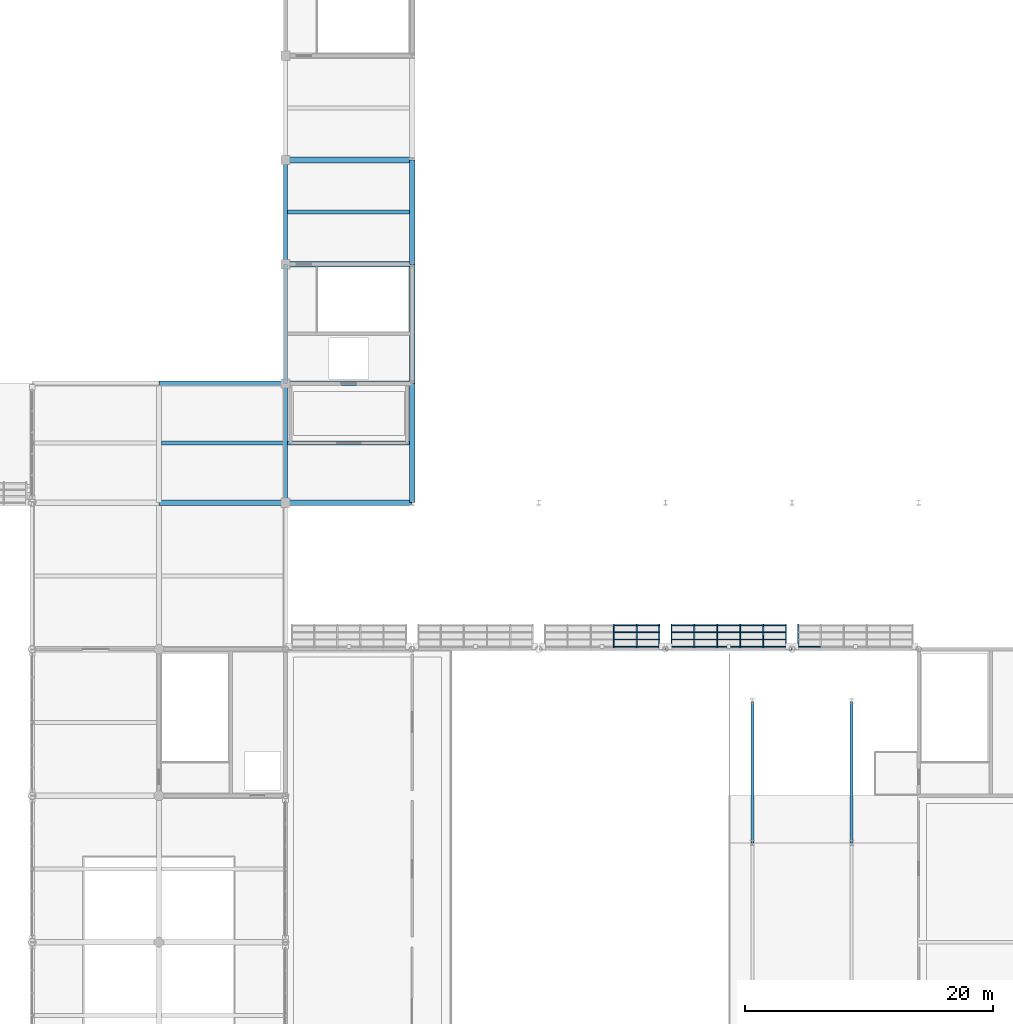
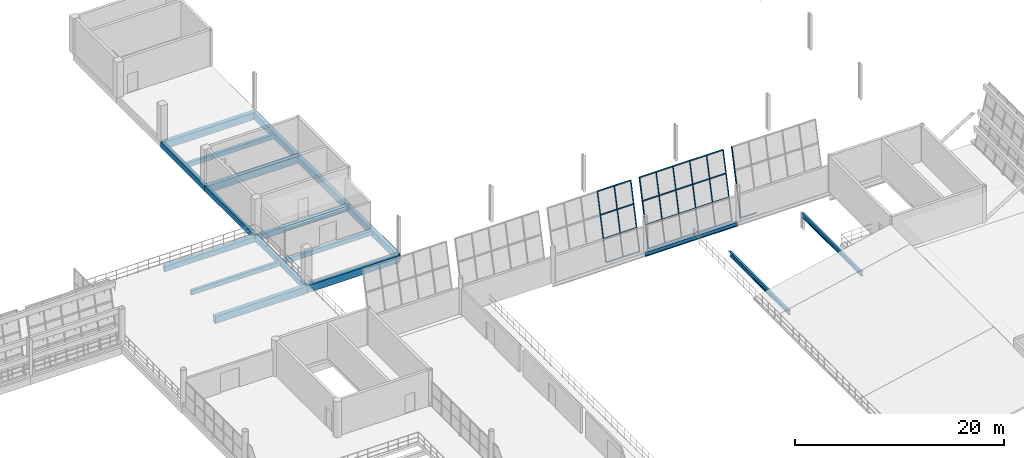
# One storey, part 83 of 157: 39 members, 18 beams, 3 elements without a shape of their own.
"""IFC4 building model written with IfcOpenShell, lengths in metres."""

from ifc_helpers import new_model, si_unit, direction, frame, origin, origin_2d, place, context, subcontext, project, spatial, rectangle, hollow_rectangle, i_section, extrude, material, material_profile, profile_set, type_object, element, aggregate, save


model = new_model("IFC4")

# Units and contexts
model_context = context("Model", 3, precision=1e-05, world=origin(), true_north=direction((0.0, 1.0)))
body_context = subcontext(model_context, "Body", "Model", "MODEL_VIEW")
ifc_project = project(units=[si_unit("LENGTHUNIT", "METRE"), si_unit("AREAUNIT", "SQUARE_METRE"), si_unit("VOLUMEUNIT", "CUBIC_METRE"), si_unit("PLANEANGLEUNIT", "RADIAN"), si_unit("MASSUNIT", "GRAM", prefix="KILO")], contexts=[model_context])

# Site, building, storey
site_placement = place(None, origin())
site = spatial("IfcSite", under=ifc_project, at=site_placement, CompositionType="ELEMENT")
building_placement = place(site_placement, origin())
building = spatial("IfcBuilding", under=site, at=building_placement, Name="Brelvane Convention Centre", CompositionType="ELEMENT")
storey_placement = place(building_placement, frame((0.0, 0.0, 10.800048828125)))
storey = spatial("IfcBuildingStorey", under=building, at=storey_placement, Name="L02", CompositionType="ELEMENT", Elevation=10.800048828125)

# Curtain wall, members
ifc_material_1 = material(Name="Anodised Aluminium Alloy 6063-T6", Category="aluminium")
curtain_wall_type = type_object("IfcCurtainWallType", Name="Curtain Wall CW-HULL-N", PredefinedType="USERDEFINED", material=ifc_material_1)
curtain_wall_1_placement = place(storey_placement, origin())
curtain_wall_1 = element("IfcCurtainWall", 1, at=curtain_wall_1_placement, inside=storey, type_object=curtain_wall_type, Name="Curtain Wall CW-HULL-N L02-HULL-PN-L02-3", ObjectType="UNITISED", PredefinedType="USERDEFINED")
ifc_material_2 = material(Name="Anodised Aluminium Alloy 6063-T6", Category="aluminium")
ifc_material_profile_1 = material_profile(ifc_material_2, hollow_rectangle(XDim=0.074951171875, YDim=0.199951171875, WallThickness=0.0048828125, InnerFilletRadius=0.0048828125, OuterFilletRadius=0.010009765625, at=origin_2d()), Name="ALU-M 200x75x5.0")
ifc_profile_set_1 = profile_set([ifc_material_profile_1], Name="Anodised Aluminium Alloy 6063-T6")
member_type_1 = type_object("IfcMemberType", Name="Curtain Mullion CW-M2", PredefinedType="MULLION", material=ifc_profile_set_1)
member_1_placement = place(storey_placement, frame((189.6298828125, 88.0, 0.050048828125), z_axis=(0.0, 0.228348908232, 0.973579363026), x_axis=(-1.0, 0.0, 0.0)))
member_1 = element("IfcMember", 2, at=member_1_placement, type_object=member_type_1, Name="CW-HULL-N mullion 4", PredefinedType="MULLION", context=body_context, shape_type="SweptSolid", body=[
    extrude(hollow_rectangle(XDim=0.074951171875, YDim=0.199951171875, WallThickness=0.0048828125, InnerFilletRadius=0.0048828125, OuterFilletRadius=0.010009765625, at=origin_2d()), origin(), (0.0, 0.0, 1.0), 7.54931640625),
])
member_2_placement = place(storey_placement, frame((191.489990234375, 88.0, 0.050048828125), z_axis=(0.0, 0.228348908232, 0.973579363026), x_axis=(-1.0, 0.0, 0.0)))
member_2 = element("IfcMember", 3, at=member_2_placement, type_object=member_type_1, Name="CW-HULL-N mullion 5", PredefinedType="MULLION", context=body_context, shape_type="SweptSolid", body=[
    extrude(hollow_rectangle(XDim=0.074951171875, YDim=0.199951171875, WallThickness=0.0048828125, InnerFilletRadius=0.0048828125, OuterFilletRadius=0.010009765625, at=origin_2d()), origin(), (0.0, 0.0, 1.0), 7.54931640625),
])
member_3_placement = place(storey_placement, frame((193.3125, 88.0, 0.050048828125), z_axis=(0.0, 0.228348908232, 0.973579363026), x_axis=(-1.0, 0.0, 0.0)))
member_3 = element("IfcMember", 4, at=member_3_placement, type_object=member_type_1, Name="CW-HULL-N mullion 6", PredefinedType="MULLION", context=body_context, shape_type="SweptSolid", body=[
    extrude(hollow_rectangle(XDim=0.074951171875, YDim=0.199951171875, WallThickness=0.0048828125, InnerFilletRadius=0.0048828125, OuterFilletRadius=0.010009765625, at=origin_2d()), origin(), (0.0, 0.0, 1.0), 7.54931640625),
])

curtain_wall_2_placement = place(storey_placement, origin())
curtain_wall_2 = element("IfcCurtainWall", 5, at=curtain_wall_2_placement, inside=storey, type_object=curtain_wall_type, Name="Curtain Wall CW-HULL-N L02-HULL-PN-L02-4", ObjectType="UNITISED", PredefinedType="USERDEFINED")
member_4_placement = place(storey_placement, frame((194.28759765625, 88.0, 0.050048828125), z_axis=(0.0, 0.228348908232, 0.973579363026), x_axis=(-1.0, 0.0, 0.0)))
member_4 = element("IfcMember", 6, at=member_4_placement, type_object=member_type_1, Name="CW-HULL-N mullion 1", PredefinedType="MULLION", context=body_context, shape_type="SweptSolid", body=[
    extrude(hollow_rectangle(XDim=0.074951171875, YDim=0.199951171875, WallThickness=0.0048828125, InnerFilletRadius=0.0048828125, OuterFilletRadius=0.010009765625, at=origin_2d()), origin(), (0.0, 0.0, 1.0), 7.54931640625),
])
member_5_placement = place(storey_placement, frame((196.110107421875, 88.0, 0.050048828125), z_axis=(0.0, 0.228348908232, 0.973579363026), x_axis=(-1.0, 0.0, 0.0)))
member_5 = element("IfcMember", 7, at=member_5_placement, type_object=member_type_1, Name="CW-HULL-N mullion 2", PredefinedType="MULLION", context=body_context, shape_type="SweptSolid", body=[
    extrude(hollow_rectangle(XDim=0.074951171875, YDim=0.199951171875, WallThickness=0.0048828125, InnerFilletRadius=0.0048828125, OuterFilletRadius=0.010009765625, at=origin_2d()), origin(), (0.0, 0.0, 1.0), 7.54931640625),
])
member_6_placement = place(storey_placement, frame((197.969970703125, 88.0, 0.050048828125), z_axis=(0.0, 0.228348908232, 0.973579363026), x_axis=(-1.0, 0.0, 0.0)))
member_6 = element("IfcMember", 8, at=member_6_placement, type_object=member_type_1, Name="CW-HULL-N mullion 3", PredefinedType="MULLION", context=body_context, shape_type="SweptSolid", body=[
    extrude(hollow_rectangle(XDim=0.074951171875, YDim=0.199951171875, WallThickness=0.0048828125, InnerFilletRadius=0.0048828125, OuterFilletRadius=0.010009765625, at=origin_2d()), origin(), (0.0, 0.0, 1.0), 7.54931640625),
])
member_7_placement = place(storey_placement, frame((199.830078125, 88.0, 0.050048828125), z_axis=(0.0, 0.228348908232, 0.973579363026), x_axis=(-1.0, 0.0, 0.0)))
member_7 = element("IfcMember", 9, at=member_7_placement, type_object=member_type_1, Name="CW-HULL-N mullion 4", PredefinedType="MULLION", context=body_context, shape_type="SweptSolid", body=[
    extrude(hollow_rectangle(XDim=0.074951171875, YDim=0.199951171875, WallThickness=0.0048828125, InnerFilletRadius=0.0048828125, OuterFilletRadius=0.010009765625, at=origin_2d()), origin(), (0.0, 0.0, 1.0), 7.54931640625),
])
member_8_placement = place(storey_placement, frame((201.68994140625, 88.0, 0.050048828125), z_axis=(0.0, 0.228348908232, 0.973579363026), x_axis=(-1.0, 0.0, 0.0)))
member_8 = element("IfcMember", 10, at=member_8_placement, type_object=member_type_1, Name="CW-HULL-N mullion 5", PredefinedType="MULLION", context=body_context, shape_type="SweptSolid", body=[
    extrude(hollow_rectangle(XDim=0.074951171875, YDim=0.199951171875, WallThickness=0.0048828125, InnerFilletRadius=0.0048828125, OuterFilletRadius=0.010009765625, at=origin_2d()), origin(), (0.0, 0.0, 1.0), 7.54931640625),
])
member_9_placement = place(storey_placement, frame((203.512451171875, 88.0, 0.050048828125), z_axis=(0.0, 0.228348908232, 0.973579363026), x_axis=(-1.0, 0.0, 0.0)))
member_9 = element("IfcMember", 11, at=member_9_placement, type_object=member_type_1, Name="CW-HULL-N mullion 6", PredefinedType="MULLION", context=body_context, shape_type="SweptSolid", body=[
    extrude(hollow_rectangle(XDim=0.074951171875, YDim=0.199951171875, WallThickness=0.0048828125, InnerFilletRadius=0.0048828125, OuterFilletRadius=0.010009765625, at=origin_2d()), origin(), (0.0, 0.0, 1.0), 7.54931640625),
])

# Curtain wall, member
curtain_wall_3_placement = place(storey_placement, origin())
curtain_wall_3 = element("IfcCurtainWall", 12, at=curtain_wall_3_placement, inside=storey, type_object=curtain_wall_type, Name="Curtain Wall CW-HULL-N L02-HULL-PN-L02-5", ObjectType="UNITISED", PredefinedType="USERDEFINED")
member_10_placement = place(storey_placement, frame((204.487548828125, 88.0, 0.050048828125), z_axis=(0.0, 0.228348908232, 0.973579363026), x_axis=(-1.0, 0.0, 0.0)))
member_10 = element("IfcMember", 13, at=member_10_placement, type_object=member_type_1, Name="CW-HULL-N mullion 1", PredefinedType="MULLION", context=body_context, shape_type="SweptSolid", body=[
    extrude(hollow_rectangle(XDim=0.074951171875, YDim=0.199951171875, WallThickness=0.0048828125, InnerFilletRadius=0.0048828125, OuterFilletRadius=0.010009765625, at=origin_2d()), origin(), (0.0, 0.0, 1.0), 7.54931640625),
])

# Member
ifc_material_3 = material(Name="Anodised Aluminium Alloy 6063-T6", Category="aluminium")
ifc_material_profile_2 = material_profile(ifc_material_3, hollow_rectangle(XDim=0.070068359375, YDim=0.14990234375, WallThickness=0.00439453125, InnerFilletRadius=0.00439453125, OuterFilletRadius=0.009033203125, at=origin_2d()), Name="ALU-T 150x70x4.5")
ifc_profile_set_2 = profile_set([ifc_material_profile_2], Name="Anodised Aluminium Alloy 6063-T6")
member_type_2 = type_object("IfcMemberType", Name="Curtain Transom CW-T2", PredefinedType="USERDEFINED", material=ifc_profile_set_2)
member_11_placement = place(storey_placement, frame((189.66748046875, 88.00830078125, 0.0849609375), z_axis=(1.0, 0.0, 0.0), x_axis=(0.0, 1.0, 0.0)))
member_11 = element("IfcMember", 14, at=member_11_placement, type_object=member_type_2, Name="CW-HULL-N transom 4.1", ObjectType="TRANSOM", PredefinedType="USERDEFINED", context=body_context, shape_type="SweptSolid", body=[
    extrude(hollow_rectangle(XDim=0.070068359375, YDim=0.14990234375, WallThickness=0.00439453125, InnerFilletRadius=0.00439453125, OuterFilletRadius=0.009033203125, at=origin_2d()), origin(), (0.0, 0.0, 1.0), 1.784912109375),
])

member_12_placement = place(storey_placement, frame((189.66748046875, 88.57470703125, 2.5), z_axis=(1.0, 0.0, 0.0), x_axis=(0.0, 1.0, 0.0)))
member_12 = element("IfcMember", 15, at=member_12_placement, type_object=member_type_2, Name="CW-HULL-N transom 4.2", ObjectType="TRANSOM", PredefinedType="USERDEFINED", context=body_context, shape_type="SweptSolid", body=[
    extrude(hollow_rectangle(XDim=0.070068359375, YDim=0.14990234375, WallThickness=0.00439453125, InnerFilletRadius=0.00439453125, OuterFilletRadius=0.009033203125, at=origin_2d()), origin(), (0.0, 0.0, 1.0), 1.784912109375),
])

member_13_placement = place(storey_placement, frame((189.66748046875, 89.149169921875, 4.949951171875), z_axis=(1.0, 0.0, 0.0), x_axis=(0.0, 1.0, 0.0)))
member_13 = element("IfcMember", 16, at=member_13_placement, type_object=member_type_2, Name="CW-HULL-N transom 4.3", ObjectType="TRANSOM", PredefinedType="USERDEFINED", context=body_context, shape_type="SweptSolid", body=[
    extrude(hollow_rectangle(XDim=0.070068359375, YDim=0.14990234375, WallThickness=0.00439453125, InnerFilletRadius=0.00439453125, OuterFilletRadius=0.009033203125, at=origin_2d()), origin(), (0.0, 0.0, 1.0), 1.784912109375),
])

member_14_placement = place(storey_placement, frame((189.66748046875, 89.7158203125, 7.364990234375), z_axis=(1.0, 0.0, 0.0), x_axis=(0.0, 1.0, 0.0)))
member_14 = element("IfcMember", 17, at=member_14_placement, type_object=member_type_2, Name="CW-HULL-N transom 4.4", ObjectType="TRANSOM", PredefinedType="USERDEFINED", context=body_context, shape_type="SweptSolid", body=[
    extrude(hollow_rectangle(XDim=0.070068359375, YDim=0.14990234375, WallThickness=0.00439453125, InnerFilletRadius=0.00439453125, OuterFilletRadius=0.009033203125, at=origin_2d()), origin(), (0.0, 0.0, 1.0), 1.784912109375),
])

member_15_placement = place(storey_placement, frame((191.527587890625, 88.00830078125, 0.0849609375), z_axis=(1.0, 0.0, 0.0), x_axis=(0.0, 1.0, 0.0)))
member_15 = element("IfcMember", 18, at=member_15_placement, type_object=member_type_2, Name="CW-HULL-N transom 5.1", ObjectType="TRANSOM", PredefinedType="USERDEFINED", context=body_context, shape_type="SweptSolid", body=[
    extrude(hollow_rectangle(XDim=0.070068359375, YDim=0.14990234375, WallThickness=0.00439453125, InnerFilletRadius=0.00439453125, OuterFilletRadius=0.009033203125, at=origin_2d()), origin(), (0.0, 0.0, 1.0), 1.747314453125),
])

member_16_placement = place(storey_placement, frame((191.527587890625, 88.57470703125, 2.5), z_axis=(1.0, 0.0, 0.0), x_axis=(0.0, 1.0, 0.0)))
member_16 = element("IfcMember", 19, at=member_16_placement, type_object=member_type_2, Name="CW-HULL-N transom 5.2", ObjectType="TRANSOM", PredefinedType="USERDEFINED", context=body_context, shape_type="SweptSolid", body=[
    extrude(hollow_rectangle(XDim=0.070068359375, YDim=0.14990234375, WallThickness=0.00439453125, InnerFilletRadius=0.00439453125, OuterFilletRadius=0.009033203125, at=origin_2d()), origin(), (0.0, 0.0, 1.0), 1.747314453125),
])

member_17_placement = place(storey_placement, frame((191.527587890625, 89.149169921875, 4.949951171875), z_axis=(1.0, 0.0, 0.0), x_axis=(0.0, 1.0, 0.0)))
member_17 = element("IfcMember", 20, at=member_17_placement, type_object=member_type_2, Name="CW-HULL-N transom 5.3", ObjectType="TRANSOM", PredefinedType="USERDEFINED", context=body_context, shape_type="SweptSolid", body=[
    extrude(hollow_rectangle(XDim=0.070068359375, YDim=0.14990234375, WallThickness=0.00439453125, InnerFilletRadius=0.00439453125, OuterFilletRadius=0.009033203125, at=origin_2d()), origin(), (0.0, 0.0, 1.0), 1.747314453125),
])

member_18_placement = place(storey_placement, frame((191.527587890625, 89.7158203125, 7.364990234375), z_axis=(1.0, 0.0, 0.0), x_axis=(0.0, 1.0, 0.0)))
member_18 = element("IfcMember", 21, at=member_18_placement, type_object=member_type_2, Name="CW-HULL-N transom 5.4", ObjectType="TRANSOM", PredefinedType="USERDEFINED", context=body_context, shape_type="SweptSolid", body=[
    extrude(hollow_rectangle(XDim=0.070068359375, YDim=0.14990234375, WallThickness=0.00439453125, InnerFilletRadius=0.00439453125, OuterFilletRadius=0.009033203125, at=origin_2d()), origin(), (0.0, 0.0, 1.0), 1.747314453125),
])

aggregate(curtain_wall_1, [member_1, member_2, member_3, member_11, member_12, member_13, member_14, member_15, member_16, member_17, member_18])

member_19_placement = place(storey_placement, frame((194.324951171875, 88.00830078125, 0.0849609375), z_axis=(1.0, 0.0, 0.0), x_axis=(0.0, 1.0, 0.0)))
member_19 = element("IfcMember", 22, at=member_19_placement, type_object=member_type_2, Name="CW-HULL-N transom 1.1", ObjectType="TRANSOM", PredefinedType="USERDEFINED", context=body_context, shape_type="SweptSolid", body=[
    extrude(hollow_rectangle(XDim=0.070068359375, YDim=0.14990234375, WallThickness=0.00439453125, InnerFilletRadius=0.00439453125, OuterFilletRadius=0.009033203125, at=origin_2d()), origin(), (0.0, 0.0, 1.0), 1.74755859375),
])

member_20_placement = place(storey_placement, frame((194.324951171875, 88.57470703125, 2.5), z_axis=(1.0, 0.0, 0.0), x_axis=(0.0, 1.0, 0.0)))
member_20 = element("IfcMember", 23, at=member_20_placement, type_object=member_type_2, Name="CW-HULL-N transom 1.2", ObjectType="TRANSOM", PredefinedType="USERDEFINED", context=body_context, shape_type="SweptSolid", body=[
    extrude(hollow_rectangle(XDim=0.070068359375, YDim=0.14990234375, WallThickness=0.00439453125, InnerFilletRadius=0.00439453125, OuterFilletRadius=0.009033203125, at=origin_2d()), origin(), (0.0, 0.0, 1.0), 1.74755859375),
])

member_21_placement = place(storey_placement, frame((194.324951171875, 89.149169921875, 4.949951171875), z_axis=(1.0, 0.0, 0.0), x_axis=(0.0, 1.0, 0.0)))
member_21 = element("IfcMember", 24, at=member_21_placement, type_object=member_type_2, Name="CW-HULL-N transom 1.3", ObjectType="TRANSOM", PredefinedType="USERDEFINED", context=body_context, shape_type="SweptSolid", body=[
    extrude(hollow_rectangle(XDim=0.070068359375, YDim=0.14990234375, WallThickness=0.00439453125, InnerFilletRadius=0.00439453125, OuterFilletRadius=0.009033203125, at=origin_2d()), origin(), (0.0, 0.0, 1.0), 1.74755859375),
])

member_22_placement = place(storey_placement, frame((194.324951171875, 89.7158203125, 7.364990234375), z_axis=(1.0, 0.0, 0.0), x_axis=(0.0, 1.0, 0.0)))
member_22 = element("IfcMember", 25, at=member_22_placement, type_object=member_type_2, Name="CW-HULL-N transom 1.4", ObjectType="TRANSOM", PredefinedType="USERDEFINED", context=body_context, shape_type="SweptSolid", body=[
    extrude(hollow_rectangle(XDim=0.070068359375, YDim=0.14990234375, WallThickness=0.00439453125, InnerFilletRadius=0.00439453125, OuterFilletRadius=0.009033203125, at=origin_2d()), origin(), (0.0, 0.0, 1.0), 1.74755859375),
])

member_23_placement = place(storey_placement, frame((196.1474609375, 88.00830078125, 0.0849609375), z_axis=(1.0, 0.0, 0.0), x_axis=(0.0, 1.0, 0.0)))
member_23 = element("IfcMember", 26, at=member_23_placement, type_object=member_type_2, Name="CW-HULL-N transom 2.1", ObjectType="TRANSOM", PredefinedType="USERDEFINED", context=body_context, shape_type="SweptSolid", body=[
    extrude(hollow_rectangle(XDim=0.070068359375, YDim=0.14990234375, WallThickness=0.00439453125, InnerFilletRadius=0.00439453125, OuterFilletRadius=0.009033203125, at=origin_2d()), origin(), (0.0, 0.0, 1.0), 1.78515625),
])

member_24_placement = place(storey_placement, frame((196.1474609375, 88.57470703125, 2.5), z_axis=(1.0, 0.0, 0.0), x_axis=(0.0, 1.0, 0.0)))
member_24 = element("IfcMember", 27, at=member_24_placement, type_object=member_type_2, Name="CW-HULL-N transom 2.2", ObjectType="TRANSOM", PredefinedType="USERDEFINED", context=body_context, shape_type="SweptSolid", body=[
    extrude(hollow_rectangle(XDim=0.070068359375, YDim=0.14990234375, WallThickness=0.00439453125, InnerFilletRadius=0.00439453125, OuterFilletRadius=0.009033203125, at=origin_2d()), origin(), (0.0, 0.0, 1.0), 1.78515625),
])

member_25_placement = place(storey_placement, frame((196.1474609375, 89.149169921875, 4.949951171875), z_axis=(1.0, 0.0, 0.0), x_axis=(0.0, 1.0, 0.0)))
member_25 = element("IfcMember", 28, at=member_25_placement, type_object=member_type_2, Name="CW-HULL-N transom 2.3", ObjectType="TRANSOM", PredefinedType="USERDEFINED", context=body_context, shape_type="SweptSolid", body=[
    extrude(hollow_rectangle(XDim=0.070068359375, YDim=0.14990234375, WallThickness=0.00439453125, InnerFilletRadius=0.00439453125, OuterFilletRadius=0.009033203125, at=origin_2d()), origin(), (0.0, 0.0, 1.0), 1.78515625),
])

member_26_placement = place(storey_placement, frame((196.1474609375, 89.7158203125, 7.364990234375), z_axis=(1.0, 0.0, 0.0), x_axis=(0.0, 1.0, 0.0)))
member_26 = element("IfcMember", 29, at=member_26_placement, type_object=member_type_2, Name="CW-HULL-N transom 2.4", ObjectType="TRANSOM", PredefinedType="USERDEFINED", context=body_context, shape_type="SweptSolid", body=[
    extrude(hollow_rectangle(XDim=0.070068359375, YDim=0.14990234375, WallThickness=0.00439453125, InnerFilletRadius=0.00439453125, OuterFilletRadius=0.009033203125, at=origin_2d()), origin(), (0.0, 0.0, 1.0), 1.78515625),
])

member_27_placement = place(storey_placement, frame((198.007568359375, 88.00830078125, 0.0849609375), z_axis=(1.0, 0.0, 0.0), x_axis=(0.0, 1.0, 0.0)))
member_27 = element("IfcMember", 30, at=member_27_placement, type_object=member_type_2, Name="CW-HULL-N transom 3.1", ObjectType="TRANSOM", PredefinedType="USERDEFINED", context=body_context, shape_type="SweptSolid", body=[
    extrude(hollow_rectangle(XDim=0.070068359375, YDim=0.14990234375, WallThickness=0.00439453125, InnerFilletRadius=0.00439453125, OuterFilletRadius=0.009033203125, at=origin_2d()), origin(), (0.0, 0.0, 1.0), 1.784912109375),
])

member_28_placement = place(storey_placement, frame((198.007568359375, 88.57470703125, 2.5), z_axis=(1.0, 0.0, 0.0), x_axis=(0.0, 1.0, 0.0)))
member_28 = element("IfcMember", 31, at=member_28_placement, type_object=member_type_2, Name="CW-HULL-N transom 3.2", ObjectType="TRANSOM", PredefinedType="USERDEFINED", context=body_context, shape_type="SweptSolid", body=[
    extrude(hollow_rectangle(XDim=0.070068359375, YDim=0.14990234375, WallThickness=0.00439453125, InnerFilletRadius=0.00439453125, OuterFilletRadius=0.009033203125, at=origin_2d()), origin(), (0.0, 0.0, 1.0), 1.784912109375),
])

member_29_placement = place(storey_placement, frame((198.007568359375, 89.149169921875, 4.949951171875), z_axis=(1.0, 0.0, 0.0), x_axis=(0.0, 1.0, 0.0)))
member_29 = element("IfcMember", 32, at=member_29_placement, type_object=member_type_2, Name="CW-HULL-N transom 3.3", ObjectType="TRANSOM", PredefinedType="USERDEFINED", context=body_context, shape_type="SweptSolid", body=[
    extrude(hollow_rectangle(XDim=0.070068359375, YDim=0.14990234375, WallThickness=0.00439453125, InnerFilletRadius=0.00439453125, OuterFilletRadius=0.009033203125, at=origin_2d()), origin(), (0.0, 0.0, 1.0), 1.784912109375),
])

member_30_placement = place(storey_placement, frame((198.007568359375, 89.7158203125, 7.364990234375), z_axis=(1.0, 0.0, 0.0), x_axis=(0.0, 1.0, 0.0)))
member_30 = element("IfcMember", 33, at=member_30_placement, type_object=member_type_2, Name="CW-HULL-N transom 3.4", ObjectType="TRANSOM", PredefinedType="USERDEFINED", context=body_context, shape_type="SweptSolid", body=[
    extrude(hollow_rectangle(XDim=0.070068359375, YDim=0.14990234375, WallThickness=0.00439453125, InnerFilletRadius=0.00439453125, OuterFilletRadius=0.009033203125, at=origin_2d()), origin(), (0.0, 0.0, 1.0), 1.784912109375),
])

member_31_placement = place(storey_placement, frame((199.867431640625, 88.00830078125, 0.0849609375), z_axis=(1.0, 0.0, 0.0), x_axis=(0.0, 1.0, 0.0)))
member_31 = element("IfcMember", 34, at=member_31_placement, type_object=member_type_2, Name="CW-HULL-N transom 4.1", ObjectType="TRANSOM", PredefinedType="USERDEFINED", context=body_context, shape_type="SweptSolid", body=[
    extrude(hollow_rectangle(XDim=0.070068359375, YDim=0.14990234375, WallThickness=0.00439453125, InnerFilletRadius=0.00439453125, OuterFilletRadius=0.009033203125, at=origin_2d()), origin(), (0.0, 0.0, 1.0), 1.78515625),
])

member_32_placement = place(storey_placement, frame((199.867431640625, 88.57470703125, 2.5), z_axis=(1.0, 0.0, 0.0), x_axis=(0.0, 1.0, 0.0)))
member_32 = element("IfcMember", 35, at=member_32_placement, type_object=member_type_2, Name="CW-HULL-N transom 4.2", ObjectType="TRANSOM", PredefinedType="USERDEFINED", context=body_context, shape_type="SweptSolid", body=[
    extrude(hollow_rectangle(XDim=0.070068359375, YDim=0.14990234375, WallThickness=0.00439453125, InnerFilletRadius=0.00439453125, OuterFilletRadius=0.009033203125, at=origin_2d()), origin(), (0.0, 0.0, 1.0), 1.78515625),
])

member_33_placement = place(storey_placement, frame((199.867431640625, 89.149169921875, 4.949951171875), z_axis=(1.0, 0.0, 0.0), x_axis=(0.0, 1.0, 0.0)))
member_33 = element("IfcMember", 36, at=member_33_placement, type_object=member_type_2, Name="CW-HULL-N transom 4.3", ObjectType="TRANSOM", PredefinedType="USERDEFINED", context=body_context, shape_type="SweptSolid", body=[
    extrude(hollow_rectangle(XDim=0.070068359375, YDim=0.14990234375, WallThickness=0.00439453125, InnerFilletRadius=0.00439453125, OuterFilletRadius=0.009033203125, at=origin_2d()), origin(), (0.0, 0.0, 1.0), 1.78515625),
])

member_34_placement = place(storey_placement, frame((199.867431640625, 89.7158203125, 7.364990234375), z_axis=(1.0, 0.0, 0.0), x_axis=(0.0, 1.0, 0.0)))
member_34 = element("IfcMember", 37, at=member_34_placement, type_object=member_type_2, Name="CW-HULL-N transom 4.4", ObjectType="TRANSOM", PredefinedType="USERDEFINED", context=body_context, shape_type="SweptSolid", body=[
    extrude(hollow_rectangle(XDim=0.070068359375, YDim=0.14990234375, WallThickness=0.00439453125, InnerFilletRadius=0.00439453125, OuterFilletRadius=0.009033203125, at=origin_2d()), origin(), (0.0, 0.0, 1.0), 1.78515625),
])

member_35_placement = place(storey_placement, frame((201.7275390625, 88.00830078125, 0.0849609375), z_axis=(1.0, 0.0, 0.0), x_axis=(0.0, 1.0, 0.0)))
member_35 = element("IfcMember", 38, at=member_35_placement, type_object=member_type_2, Name="CW-HULL-N transom 5.1", ObjectType="TRANSOM", PredefinedType="USERDEFINED", context=body_context, shape_type="SweptSolid", body=[
    extrude(hollow_rectangle(XDim=0.070068359375, YDim=0.14990234375, WallThickness=0.00439453125, InnerFilletRadius=0.00439453125, OuterFilletRadius=0.009033203125, at=origin_2d()), origin(), (0.0, 0.0, 1.0), 1.74755859375),
])

member_36_placement = place(storey_placement, frame((201.7275390625, 88.57470703125, 2.5), z_axis=(1.0, 0.0, 0.0), x_axis=(0.0, 1.0, 0.0)))
member_36 = element("IfcMember", 39, at=member_36_placement, type_object=member_type_2, Name="CW-HULL-N transom 5.2", ObjectType="TRANSOM", PredefinedType="USERDEFINED", context=body_context, shape_type="SweptSolid", body=[
    extrude(hollow_rectangle(XDim=0.070068359375, YDim=0.14990234375, WallThickness=0.00439453125, InnerFilletRadius=0.00439453125, OuterFilletRadius=0.009033203125, at=origin_2d()), origin(), (0.0, 0.0, 1.0), 1.74755859375),
])

member_37_placement = place(storey_placement, frame((201.7275390625, 89.149169921875, 4.949951171875), z_axis=(1.0, 0.0, 0.0), x_axis=(0.0, 1.0, 0.0)))
member_37 = element("IfcMember", 40, at=member_37_placement, type_object=member_type_2, Name="CW-HULL-N transom 5.3", ObjectType="TRANSOM", PredefinedType="USERDEFINED", context=body_context, shape_type="SweptSolid", body=[
    extrude(hollow_rectangle(XDim=0.070068359375, YDim=0.14990234375, WallThickness=0.00439453125, InnerFilletRadius=0.00439453125, OuterFilletRadius=0.009033203125, at=origin_2d()), origin(), (0.0, 0.0, 1.0), 1.74755859375),
])

member_38_placement = place(storey_placement, frame((201.7275390625, 89.7158203125, 7.364990234375), z_axis=(1.0, 0.0, 0.0), x_axis=(0.0, 1.0, 0.0)))
member_38 = element("IfcMember", 41, at=member_38_placement, type_object=member_type_2, Name="CW-HULL-N transom 5.4", ObjectType="TRANSOM", PredefinedType="USERDEFINED", context=body_context, shape_type="SweptSolid", body=[
    extrude(hollow_rectangle(XDim=0.070068359375, YDim=0.14990234375, WallThickness=0.00439453125, InnerFilletRadius=0.00439453125, OuterFilletRadius=0.009033203125, at=origin_2d()), origin(), (0.0, 0.0, 1.0), 1.74755859375),
])

aggregate(curtain_wall_2, [member_4, member_5, member_6, member_7, member_8, member_9, member_19, member_20, member_21, member_22, member_23, member_24, member_25, member_26, member_27, member_28, member_29, member_30, member_31, member_32, member_33, member_34, member_35, member_36, member_37, member_38])

member_39_placement = place(storey_placement, frame((204.52490234375, 88.00830078125, 0.0849609375), z_axis=(1.0, 0.0, 0.0), x_axis=(0.0, 1.0, 0.0)))
member_39 = element("IfcMember", 42, at=member_39_placement, type_object=member_type_2, Name="CW-HULL-N transom 1.1", ObjectType="TRANSOM", PredefinedType="USERDEFINED", context=body_context, shape_type="SweptSolid", body=[
    extrude(hollow_rectangle(XDim=0.070068359375, YDim=0.14990234375, WallThickness=0.00439453125, InnerFilletRadius=0.00439453125, OuterFilletRadius=0.009033203125, at=origin_2d()), origin(), (0.0, 0.0, 1.0), 1.74755859375),
])

aggregate(curtain_wall_3, [member_10, member_39])

# Beams
ifc_material_4 = material(Name="Concrete M40", Category="concrete")
ifc_material_profile_3 = material_profile(ifc_material_4, rectangle(XDim=0.4599609375, YDim=0.840087890625, at=origin_2d()), Name="RC 460x840")
ifc_profile_set_3 = profile_set([ifc_material_profile_3], Name="Concrete M40")
beam_type_1 = type_object("IfcBeamType", Name="RC Beam B-RC11 (RC 460x840)", PredefinedType="BEAM", material=ifc_profile_set_3)
for number, where, z_axis, x_axis, name in (
    (43, (153.0, 99.60009765625, -0.72998046875), (1.0, 0.0, 0.0), (0.0, 1.0, 0.0), "L02 Beam 16-17/K"),
    (44, (163.199951171875, 99.60009765625, -0.699951171875), (1.0, 0.0, 0.0), (0.0, 1.0, 0.0), "L02 Beam 17-18/K"),
    (45, (163.199951171875, 118.800048828125, -0.699951171875), (1.0, 0.0, 0.0), (0.0, 1.0, 0.0), "L02 Beam 17-18/M"),
    (46, (163.199951171875, 127.199951171875, -0.699951171875), (1.0, 0.0, 0.0), (0.0, 1.0, 0.0), "L02 Beam 17-18/N"),
):
    element("IfcBeam", number, at=place(storey_placement, frame(where, z_axis=z_axis, x_axis=x_axis)), inside=storey, type_object=beam_type_1, Name=name, PredefinedType="BEAM", context=body_context, shape_type="SweptSolid", body=[
        extrude(rectangle(XDim=0.4599609375, YDim=0.840087890625, at=origin_2d()), origin(), (0.0, 0.0, 1.0), 10.199951171875),
    ])
ifc_material_5 = material(Name="Concrete M40", Category="concrete")
ifc_material_profile_4 = material_profile(ifc_material_5, rectangle(XDim=0.419921875, YDim=0.780029296875, at=origin_2d()), Name="RC 420x780")
ifc_profile_set_4 = profile_set([ifc_material_profile_4], Name="Concrete M40")
beam_type_2 = type_object("IfcBeamType", Name="RC Beam B-RC12 (RC 420x780)", PredefinedType="BEAM", material=ifc_profile_set_4)
beam_1_placement = place(storey_placement, frame((173.39990234375, 99.60009765625, -0.670166015625), z_axis=(0.0, 1.0, 0.0), x_axis=(-1.0, 0.0, 0.0)))
element("IfcBeam", 47, at=beam_1_placement, inside=storey, type_object=beam_type_2, Name="L02 Girder 18/K-L", PredefinedType="BEAM", context=body_context, shape_type="SweptSolid", body=[
    extrude(rectangle(XDim=0.419921875, YDim=0.780029296875, at=origin_2d()), origin(), (0.0, 0.0, 1.0), 9.599853515625),
])
beam_2_placement = place(storey_placement, frame((173.39990234375, 109.199951171875, -0.670166015625), z_axis=(0.0, 1.0, 0.0), x_axis=(-1.0, 0.0, 0.0)))
element("IfcBeam", 48, at=beam_2_placement, inside=storey, type_object=beam_type_2, Name="L02 Girder 18/L-M", PredefinedType="BEAM", context=body_context, shape_type="SweptSolid", body=[
    extrude(rectangle(XDim=0.419921875, YDim=0.780029296875, at=origin_2d()), origin(), (0.0, 0.0, 1.0), 9.60009765625),
])
beam_3_placement = place(storey_placement, frame((173.39990234375, 118.800048828125, -0.670166015625), z_axis=(0.0, 1.0, 0.0), x_axis=(-1.0, 0.0, 0.0)))
element("IfcBeam", 49, at=beam_3_placement, inside=storey, type_object=beam_type_2, Name="L02 Girder 18/M-N", PredefinedType="BEAM", context=body_context, shape_type="SweptSolid", body=[
    extrude(rectangle(XDim=0.419921875, YDim=0.780029296875, at=origin_2d()), origin(), (0.0, 0.0, 1.0), 8.39990234375),
])
ifc_material_6 = material(Name="Concrete M40", Category="concrete")
ifc_material_profile_5 = material_profile(ifc_material_6, rectangle(XDim=0.320068359375, YDim=0.52001953125, at=origin_2d()), Name="RC 320x520")
ifc_profile_set_5 = profile_set([ifc_material_profile_5], Name="Concrete M40")
beam_type_3 = type_object("IfcBeamType", Name="RC Joist J-RC4 (RC 320x520)", PredefinedType="JOIST", material=ifc_profile_set_5)
for number, where, z_axis, x_axis, name in (
    (50, (153.2099609375, 104.39990234375, -0.570068359375), (1.0, 0.0, 0.0), (0.0, 1.0, 0.0), "L02 Secondary Joist 16-17/KL"),
    (51, (163.3798828125, 104.39990234375, -0.5400390625), (1.0, 0.0, 0.0), (0.0, 1.0, 0.0), "L02 Secondary Joist 17-18/KL"),
    (52, (163.3798828125, 123.0, -0.5400390625), (1.0, 0.0, 0.0), (0.0, 1.0, 0.0), "L02 Secondary Joist 17-18/MN"),
):
    element("IfcBeam", number, at=place(storey_placement, frame(where, z_axis=z_axis, x_axis=x_axis)), inside=storey, type_object=beam_type_3, Name=name, PredefinedType="JOIST", context=body_context, shape_type="SweptSolid", body=[
        extrude(rectangle(XDim=0.320068359375, YDim=0.52001953125, at=origin_2d()), origin(), (0.0, 0.0, 1.0), 9.81005859375),
    ])
ifc_material_7 = material(Name="Concrete M40", Category="concrete")
ifc_material_profile_6 = material_profile(ifc_material_7, rectangle(XDim=0.360107421875, YDim=0.639892578125, at=origin_2d()), Name="RC 360x640")
ifc_profile_set_6 = profile_set([ifc_material_profile_6], Name="Concrete M40")
beam_type_4 = type_object("IfcBeamType", Name="RC Spandrel SP-RC3 (RC 360x640)", PredefinedType="SPANDREL", material=ifc_profile_set_6)
for number, where, z_axis, x_axis, name in (
    (53, (153.0, 109.199951171875, -0.630126953125), (1.0, 0.0, 0.0), (0.0, 1.0, 0.0), "L02 Beam 16-17/L"),
    (54, (163.199951171875, 109.199951171875, -0.60009765625), (1.0, 0.0, 0.0), (0.0, 1.0, 0.0), "L02 Beam 17-18/L"),
):
    element("IfcBeam", number, at=place(storey_placement, frame(where, z_axis=z_axis, x_axis=x_axis)), inside=storey, type_object=beam_type_4, Name=name, PredefinedType="SPANDREL", context=body_context, shape_type="SweptSolid", body=[
        extrude(rectangle(XDim=0.360107421875, YDim=0.639892578125, at=origin_2d()), origin(), (0.0, 0.0, 1.0), 10.199951171875),
    ])
beam_4_placement = place(storey_placement, frame((163.199951171875, 99.60009765625, -0.630126953125), z_axis=(0.0, 1.0, 0.0), x_axis=(-1.0, 0.0, 0.0)))
element("IfcBeam", 55, at=beam_4_placement, inside=storey, type_object=beam_type_4, Name="L02 Girder 17/K-L", PredefinedType="SPANDREL", context=body_context, shape_type="SweptSolid", body=[
    extrude(rectangle(XDim=0.360107421875, YDim=0.639892578125, at=origin_2d()), origin(), (0.0, 0.0, 1.0), 9.599853515625),
])
beam_5_placement = place(storey_placement, frame((163.199951171875, 109.199951171875, -0.60009765625), z_axis=(0.0, 1.0, 0.0), x_axis=(-1.0, 0.0, 0.0)))
element("IfcBeam", 56, at=beam_5_placement, inside=storey, type_object=beam_type_4, Name="L02 Girder 17/L-M", PredefinedType="SPANDREL", context=body_context, shape_type="SweptSolid", body=[
    extrude(rectangle(XDim=0.360107421875, YDim=0.639892578125, at=origin_2d()), origin(), (0.0, 0.0, 1.0), 9.60009765625),
])
beam_6_placement = place(storey_placement, frame((163.199951171875, 118.800048828125, -0.60009765625), z_axis=(0.0, 1.0, 0.0), x_axis=(-1.0, 0.0, 0.0)))
element("IfcBeam", 57, at=beam_6_placement, inside=storey, type_object=beam_type_4, Name="L02 Girder 17/M-N", PredefinedType="SPANDREL", context=body_context, shape_type="SweptSolid", body=[
    extrude(rectangle(XDim=0.360107421875, YDim=0.639892578125, at=origin_2d()), origin(), (0.0, 0.0, 1.0), 8.39990234375),
])
ifc_material_8 = material(Name="Steel E350 (350 MPa)", Category="steel")
ifc_material_profile_7 = material_profile(ifc_material_8, i_section(OverallWidth=0.25, OverallDepth=0.5, WebThickness=0.010009765625, FlangeThickness=0.0146484375, FilletRadius=0.01611328125, at=origin_2d()), Name="ISWB 500")
ifc_profile_set_7 = profile_set([ifc_material_profile_7], Name="Steel E350 (350 MPa)")
beam_type_5 = type_object("IfcBeamType", Name="Steel Beam B-ST6 (ISWB 500)", PredefinedType="BEAM", material=ifc_profile_set_7)
for number, where, z_axis, x_axis, name in (
    (58, (200.800048828125, 72.199951171875, -0.090087890625), (0.0, 1.0, 0.0), (-1.0, 0.0, 0.0), "Plenary Upper Tier Bearer Beam U1-3"),
    (59, (208.800048828125, 72.199951171875, 1.6298828125), (0.0, 1.0, 0.0), (-1.0, 0.0, 0.0), "Plenary Upper Tier Bearer Beam U2-3"),
):
    element("IfcBeam", number, at=place(storey_placement, frame(where, z_axis=z_axis, x_axis=x_axis)), inside=storey, type_object=beam_type_5, Name=name, PredefinedType="BEAM", context=body_context, shape_type="SweptSolid", body=[
        extrude(i_section(OverallWidth=0.25, OverallDepth=0.5, WebThickness=0.010009765625, FlangeThickness=0.0146484375, FilletRadius=0.01611328125, at=origin_2d()), origin(), (0.0, 0.0, 1.0), 11.400146484375),
    ])
ifc_material_9 = material(Name="Steel E350 (350 MPa)", Category="steel")
ifc_material_profile_8 = material_profile(ifc_material_9, i_section(OverallWidth=0.25, OverallDepth=0.5, WebThickness=0.010009765625, FlangeThickness=0.0146484375, FilletRadius=0.01611328125, at=origin_2d()), Name="ISWB 500")
ifc_profile_set_8 = profile_set([ifc_material_profile_8], Name="Steel E350 (350 MPa)")
beam_type_6 = type_object("IfcBeamType", Name="Steel Spandrel SP-ST1 (ISWB 500)", PredefinedType="SPANDREL", material=ifc_profile_set_8)
beam_7_placement = place(storey_placement, frame((193.800048828125, 87.800048828125, -0.25), z_axis=(1.0, 0.0, 0.0), x_axis=(0.0, 1.0, 0.0)))
element("IfcBeam", 60, at=beam_7_placement, inside=storey, type_object=beam_type_6, Name="Plenary North Wall Girt L02-4", PredefinedType="SPANDREL", context=body_context, shape_type="SweptSolid", body=[
    extrude(i_section(OverallWidth=0.25, OverallDepth=0.5, WebThickness=0.010009765625, FlangeThickness=0.0146484375, FilletRadius=0.01611328125, at=origin_2d()), origin(), (0.0, 0.0, 1.0), 10.199951171875),
])

save(model, "model.ifc")
